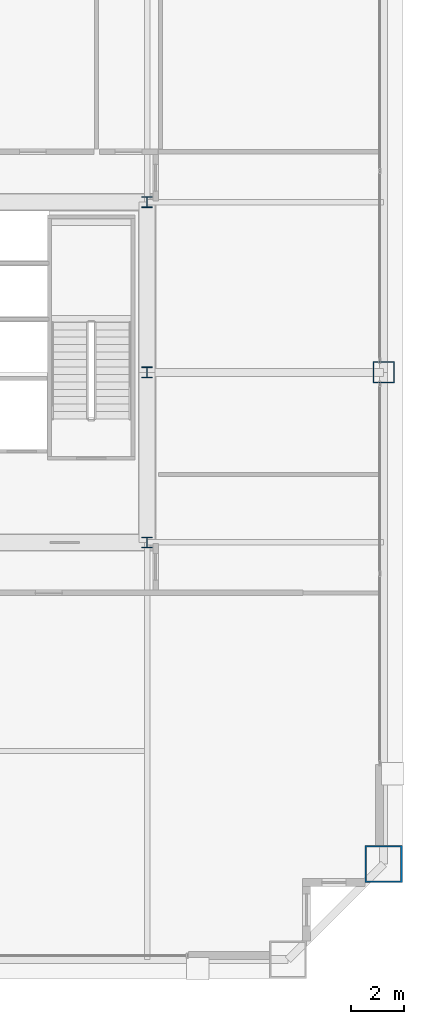
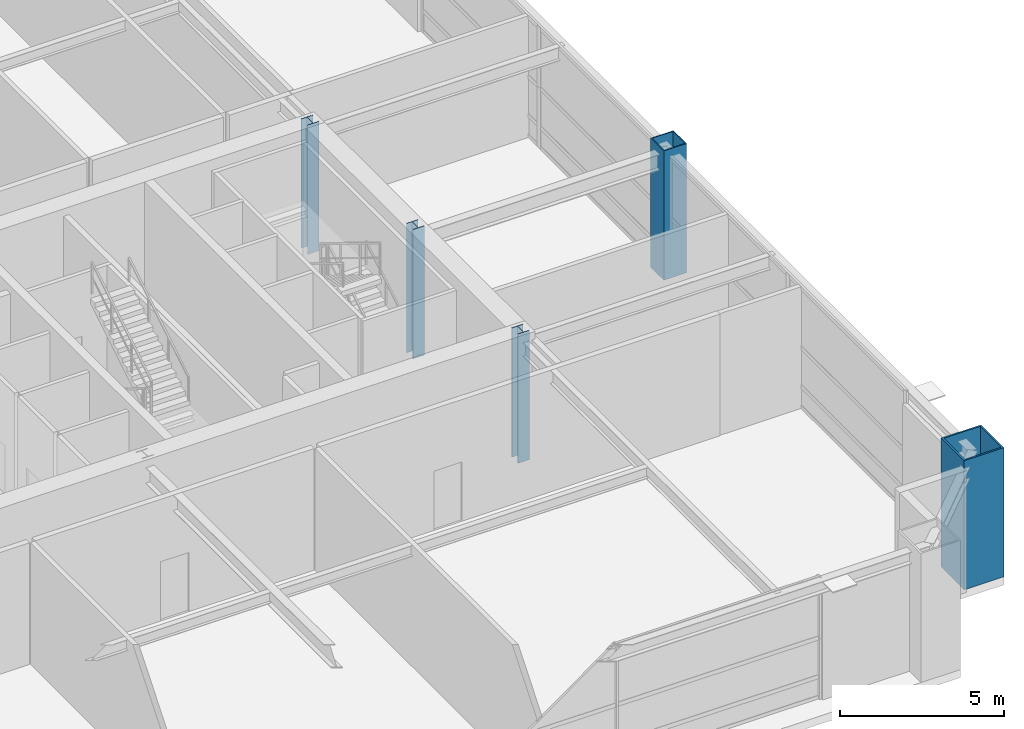
# One storey, part 2 of 34: 5 columns.
"""IFC4 building model written with IfcOpenShell, lengths in metres."""

from ifc_helpers import new_model, si_unit, direction, frame, origin, origin_2d, place, context, subcontext, project, spatial, hollow_rectangle, i_section, extrude, source, transform, mapped, material, material_profile, profile_set, type_object, element, save


model = new_model("IFC4")

# Units and contexts
model_context = context("Model", 3, precision=1e-05, world=origin(), true_north=direction((0.0, 1.0)))
body_context = subcontext(model_context, "Body", "Model", "MODEL_VIEW")
ifc_project = project(units=[si_unit("LENGTHUNIT", "METRE"), si_unit("AREAUNIT", "SQUARE_METRE"), si_unit("VOLUMEUNIT", "CUBIC_METRE"), si_unit("PLANEANGLEUNIT", "RADIAN"), si_unit("MASSUNIT", "GRAM", prefix="KILO"), si_unit("THERMODYNAMICTEMPERATUREUNIT", "KELVIN"), si_unit("POWERUNIT", "WATT")], contexts=[model_context])

# Site, building, storey
site_placement = place(None, origin())
site = spatial("IfcSite", under=ifc_project, at=site_placement, CompositionType="ELEMENT")
building_placement = place(site_placement, origin())
building = spatial("IfcBuilding", under=site, at=building_placement, Name="Yuzanri Waterfront Tower", CompositionType="ELEMENT")
storey_placement = place(building_placement, frame((0.0, 0.0, 171.60009765625)))
storey = spatial("IfcBuildingStorey", under=building, at=storey_placement, Name="L45", CompositionType="ELEMENT", Elevation=171.60009765625)

# Columns
ifc_material_1 = material(Name="Steel Q355B", Category="steel")
ifc_material_profile_1 = material_profile(ifc_material_1, i_section(OverallWidth=0.39990234375, OverallDepth=0.39990234375, WebThickness=0.012939453125, FlangeThickness=0.02099609375, at=origin_2d()), Name="HW 400x400x13x21")
ifc_profile_set_1 = profile_set([ifc_material_profile_1], Name="Steel Q355B")
column_type_1 = type_object("IfcColumnType", Name="Core Post Q355B HW 400x400x13x21", PredefinedType="COLUMN", material=ifc_profile_set_1)
shared_shape_1 = source(origin(), body_context, "Body", "SweptSolid", [
    extrude(i_section(OverallWidth=0.39990234375, OverallDepth=0.39990234375, WebThickness=0.012939453125, FlangeThickness=0.02099609375, at=origin_2d()), origin(), (0.0, 0.0, 1.0), 4.7998046875),
])
for number, where, z_axis, x_axis, name in (
    (1, (50.199951171875, 19.39990234375, 0.0), (0.0, 0.0, 1.0), (1.0, 0.0, 0.0), "L45 Core Boundary Column CP3"),
    (2, (50.199951171875, 25.800048828125, 0.0), (0.0, 0.0, 1.0), (1.0, 0.0, 0.0), "L45 Core Boundary Column CP5"),
    (3, (50.199951171875, 32.199951171875, 0.0), (0.0, 0.0, 1.0), (1.0, 0.0, 0.0), "L45 Core Boundary Column CP8"),
):
    element("IfcColumn", number, at=place(storey_placement, frame(where, z_axis=z_axis, x_axis=x_axis)), inside=storey, type_object=column_type_1, Name=name, PredefinedType="COLUMN", context=body_context, shape_type="MappedRepresentation", body=[
        mapped(shared_shape_1, transform((0.0, 0.0, 0.0), scale=1.0)),
    ])
ifc_material_2 = material(Name="Steel Q420GJC", Category="steel")
ifc_material_profile_2 = material_profile(ifc_material_2, hollow_rectangle(XDim=1.39990234375, YDim=1.39990234375, WallThickness=0.06005859375, at=origin_2d()), Name="RHS 1400x1400x60")
ifc_profile_set_2 = profile_set([ifc_material_profile_2], Name="Steel Q420GJC")
column_type_2 = type_object("IfcColumnType", Name="Mega Column Q420GJC RHS 1400x1400x60", PredefinedType="COLUMN", material=ifc_profile_set_2)
shared_shape_2 = source(origin(), body_context, "Body", "SweptSolid", [
    extrude(hollow_rectangle(XDim=1.39990234375, YDim=1.39990234375, WallThickness=0.06005859375, at=origin_2d()), origin(), (0.0, 0.0, 1.0), 4.7998046875),
])
column_1_placement = place(storey_placement, frame((59.10009765625, 7.300048828125, 0.0), z_axis=(0.0, 0.0, 1.0), x_axis=(1.0, 0.0, 0.0)))
element("IfcColumn", 4, at=column_1_placement, inside=storey, type_object=column_type_2, Name="L45 Perimeter Mega Column E1", PredefinedType="COLUMN", context=body_context, shape_type="MappedRepresentation", body=[
    mapped(shared_shape_2, transform((0.0, 0.0, 0.0), scale=1.0)),
])
ifc_material_3 = material(Name="Steel Q390GJC", Category="steel")
ifc_material_profile_3 = material_profile(ifc_material_3, hollow_rectangle(XDim=0.800048828125, YDim=0.800048828125, WallThickness=0.035888671875, at=origin_2d()), Name="RHS 800x800x36")
ifc_profile_set_3 = profile_set([ifc_material_profile_3], Name="Steel Q390GJC")
column_type_3 = type_object("IfcColumnType", Name="Frame Column Q390GJC RHS 800x800x36", PredefinedType="COLUMN", material=ifc_profile_set_3)
shared_shape_3 = source(origin(), body_context, "Body", "SweptSolid", [
    extrude(hollow_rectangle(XDim=0.800048828125, YDim=0.800048828125, WallThickness=0.035888671875, at=origin_2d()), origin(), (0.0, 0.0, 1.0), 4.7998046875),
])
column_2_placement = place(storey_placement, frame((59.10009765625, 25.800048828125, 0.0), z_axis=(0.0, 0.0, 1.0), x_axis=(1.0, 0.0, 0.0)))
element("IfcColumn", 5, at=column_2_placement, inside=storey, type_object=column_type_3, Name="L45 Perimeter Frame Column E2", PredefinedType="COLUMN", context=body_context, shape_type="MappedRepresentation", body=[
    mapped(shared_shape_3, transform((0.0, 0.0, 0.0), scale=1.0)),
])

save(model, "model.ifc")
